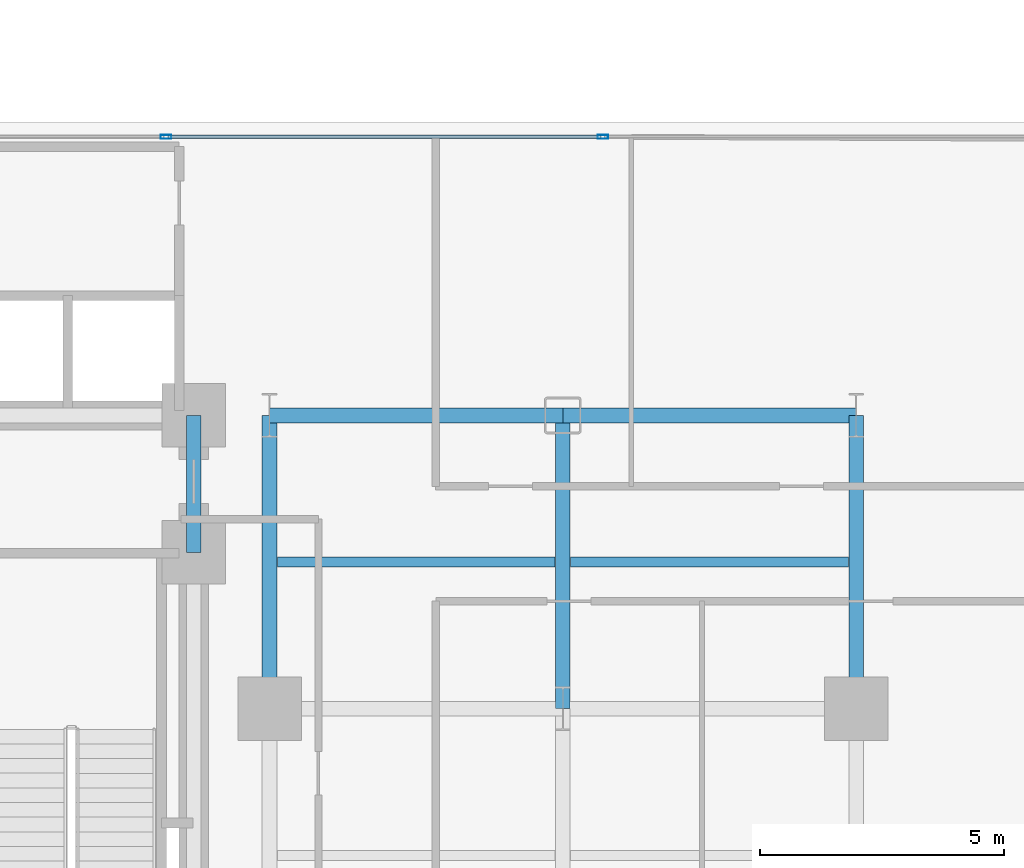
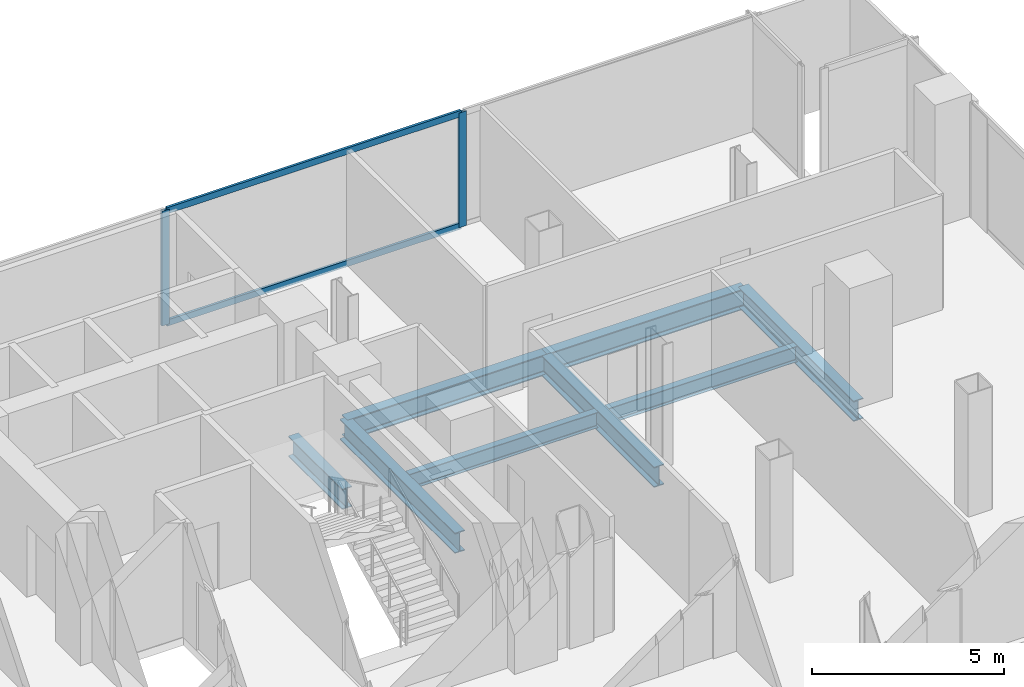
# One storey, part 11 of 27: 8 beams, 4 members, 1 element without a shape of its own.
"""IFC4 building model written with IfcOpenShell, lengths in metres."""

from ifc_helpers import new_model, si_unit, direction, frame, origin, origin_2d, place, context, subcontext, project, spatial, hollow_rectangle, i_section, extrude, material, layer, layer_set, material_profile, profile_set, type_object, element, aggregate, save


model = new_model("IFC4")

# Units and contexts
model_context = context("Model", 3, precision=1e-05, world=origin(), true_north=direction((0.0, 1.0)))
body_context = subcontext(model_context, "Body", "Model", "MODEL_VIEW")
ifc_project = project(units=[si_unit("LENGTHUNIT", "METRE"), si_unit("AREAUNIT", "SQUARE_METRE"), si_unit("VOLUMEUNIT", "CUBIC_METRE"), si_unit("PLANEANGLEUNIT", "RADIAN"), si_unit("MASSUNIT", "GRAM", prefix="KILO"), si_unit("THERMODYNAMICTEMPERATUREUNIT", "KELVIN"), si_unit("POWERUNIT", "WATT")], contexts=[model_context])

# Site, building, storey
site_placement = place(None, origin())
site = spatial("IfcSite", under=ifc_project, at=site_placement, CompositionType="ELEMENT")
building_placement = place(site_placement, origin())
building = spatial("IfcBuilding", under=site, at=building_placement, Name="Svarakhadi Broadcast Tower", CompositionType="ELEMENT")
storey_placement = place(building_placement, frame((0.0, 0.0, 40.199951171875)))
storey = spatial("IfcBuildingStorey", under=building, at=storey_placement, Name="L08", CompositionType="ELEMENT", Elevation=40.199951171875)

# Beams
ifc_material_1 = material(Name="Steel S355J2 (IS 2062 E350C)", Category="steel")
ifc_material_profile_1 = material_profile(ifc_material_1, i_section(OverallWidth=0.199951171875, OverallDepth=0.5, WebThickness=0.01025390625, FlangeThickness=0.01611328125, FilletRadius=0.02099609375, at=origin_2d()), Name="NPB 500x200x91")
ifc_profile_set_1 = profile_set([ifc_material_profile_1], Name="Steel S355J2 (IS 2062 E350C)")
beam_type_1 = type_object("IfcBeamType", Name="Beam_NPB500", PredefinedType="BEAM", material=ifc_profile_set_1)
for number, where, z_axis, x_axis, name in (
    (1, (35.31005859375, 15.0, -0.5), (1.0, 0.0, 0.0), (0.0, 1.0, 0.0), "L08 Secondary Composite Beam SB024"),
    (2, (41.31005859375, 15.0, -0.5), (1.0, 0.0, 0.0), (0.0, 1.0, 0.0), "L08 Secondary Composite Beam SB027"),
):
    element("IfcBeam", number, at=place(storey_placement, frame(where, z_axis=z_axis, x_axis=x_axis)), inside=storey, type_object=beam_type_1, Name=name, PredefinedType="BEAM", context=body_context, shape_type="SweptSolid", body=[
        extrude(i_section(OverallWidth=0.199951171875, OverallDepth=0.5, WebThickness=0.01025390625, FlangeThickness=0.01611328125, FilletRadius=0.02099609375, at=origin_2d()), origin(), (0.0, 0.0, 1.0), 5.679931640625),
    ])

# Curtain wall, members
ifc_material_2 = material(Name="Anodised Bronze Aluminium AA 6063-T6", Category="aluminium")
ifc_layer = layer(ifc_material_2, 0.219970703125)
ifc_layer_set = layer_set([ifc_layer], Name="Anodised Bronze Aluminium AA 6063-T6")
curtain_wall_type = type_object("IfcCurtainWallType", Name="CW_Sys_02", PredefinedType="NOTDEFINED", material=ifc_layer_set)
curtain_wall_placement = place(storey_placement, origin())
curtain_wall = element("IfcCurtainWall", 3, at=curtain_wall_placement, inside=storey, type_object=curtain_wall_type, Name="L08 Unitised Facade Curtain Wall 10", PredefinedType="NOTDEFINED")
ifc_material_profile_2 = material_profile(ifc_material_2, hollow_rectangle(XDim=0.0849609375, YDim=0.219970703125, WallThickness=0.006103515625, at=origin_2d()), Name="ALU MULLION 220x85x6")
ifc_profile_set_2 = profile_set([ifc_material_profile_2], Name="Anodised Bronze Aluminium AA 6063-T6")
member_type_1 = type_object("IfcMemberType", Name="CW_Sys_02_Mul", PredefinedType="MULLION", material=ifc_profile_set_2)
member_1_placement = place(storey_placement, frame((33.030029296875, 23.699951171875, 0.0), z_axis=(0.0, 0.0, 1.0), x_axis=(0.0, 1.0, 0.0)))
member_1 = element("IfcMember", 4, at=member_1_placement, type_object=member_type_1, Name="CW-02 mullion 2", PredefinedType="MULLION", context=body_context, shape_type="SweptSolid", body=[
    extrude(hollow_rectangle(XDim=0.0849609375, YDim=0.219970703125, WallThickness=0.006103515625, at=origin_2d()), origin(), (0.0, 0.0, 1.0), 3.650146484375),
])
member_2_placement = place(storey_placement, frame((41.969970703125, 23.699951171875, 0.0), z_axis=(0.0, 0.0, 1.0), x_axis=(0.0, 1.0, 0.0)))
member_2 = element("IfcMember", 5, at=member_2_placement, type_object=member_type_1, Name="CW-02 mullion 3", PredefinedType="MULLION", context=body_context, shape_type="SweptSolid", body=[
    extrude(hollow_rectangle(XDim=0.0849609375, YDim=0.219970703125, WallThickness=0.006103515625, at=origin_2d()), origin(), (0.0, 0.0, 1.0), 3.650146484375),
])
ifc_material_profile_3 = material_profile(ifc_material_2, hollow_rectangle(XDim=0.074951171875, YDim=0.199951171875, WallThickness=0.0048828125, at=origin_2d()), Name="ALU TRANSOM 200x75x5")
ifc_profile_set_3 = profile_set([ifc_material_profile_3], Name="Anodised Bronze Aluminium AA 6063-T6")
member_type_2 = type_object("IfcMemberType", Name="CW_Sys_02_Trn", PredefinedType="USERDEFINED", material=ifc_profile_set_3)
member_3_placement = place(storey_placement, frame((33.072509765625, 23.699951171875, 0.03759765625), z_axis=(1.0, 0.0, 0.0), x_axis=(0.0, 1.0, 0.0)))
member_3 = element("IfcMember", 6, at=member_3_placement, type_object=member_type_2, Name="CW-02 transom 2.1", ObjectType="TRANSOM", PredefinedType="USERDEFINED", context=body_context, shape_type="SweptSolid", body=[
    extrude(hollow_rectangle(XDim=0.074951171875, YDim=0.199951171875, WallThickness=0.0048828125, at=origin_2d()), origin(), (0.0, 0.0, 1.0), 8.85498046875),
])
member_4_placement = place(storey_placement, frame((33.072509765625, 23.699951171875, 3.612548828125), z_axis=(1.0, 0.0, 0.0), x_axis=(0.0, 1.0, 0.0)))
member_4 = element("IfcMember", 7, at=member_4_placement, type_object=member_type_2, Name="CW-02 transom 2.2", ObjectType="TRANSOM", PredefinedType="USERDEFINED", context=body_context, shape_type="SweptSolid", body=[
    extrude(hollow_rectangle(XDim=0.074951171875, YDim=0.199951171875, WallThickness=0.0048828125, at=origin_2d()), origin(), (0.0, 0.0, 1.0), 8.85498046875),
])
aggregate(curtain_wall, [member_1, member_2, member_3, member_4])

# Beams
ifc_material_profile_4 = material_profile(ifc_material_1, i_section(OverallWidth=0.300048828125, OverallDepth=0.64990234375, WebThickness=0.01611328125, FlangeThickness=0.031005859375, FilletRadius=0.027099609375, at=origin_2d()), Name="WPB 650x300x225")
ifc_profile_set_4 = profile_set([ifc_material_profile_4], Name="Steel S355J2 (IS 2062 E350C)")
beam_type_2 = type_object("IfcBeamType", Name="Girder_WPB650", PredefinedType="USERDEFINED", material=ifc_profile_set_4)
for number, where, z_axis, x_axis, name in (
    (8, (35.14990234375, 18.0, -0.574951171875), (1.0, 0.0, 0.0), (0.0, 1.0, 0.0), "L08 Primary E-W Girder G030"),
    (9, (41.14990234375, 18.0, -0.574951171875), (1.0, 0.0, 0.0), (0.0, 1.0, 0.0), "L08 Primary E-W Girder G031"),
):
    element("IfcBeam", number, at=place(storey_placement, frame(where, z_axis=z_axis, x_axis=x_axis)), inside=storey, type_object=beam_type_2, Name=name, ObjectType="GIRDER", PredefinedType="USERDEFINED", context=body_context, shape_type="SweptSolid", body=[
        extrude(i_section(OverallWidth=0.300048828125, OverallDepth=0.64990234375, WebThickness=0.01611328125, FlangeThickness=0.031005859375, FilletRadius=0.027099609375, at=origin_2d()), origin(), (0.0, 0.0, 1.0), 6.0),
    ])
beam_placement = place(storey_placement, frame((33.60009765625, 15.199951171875, -0.574951171875), z_axis=(0.0, 1.0, 0.0), x_axis=(-1.0, 0.0, 0.0)))
element("IfcBeam", 10, at=beam_placement, inside=storey, type_object=beam_type_2, Name="L08 Primary N-S Girder G075", ObjectType="GIRDER", PredefinedType="USERDEFINED", context=body_context, shape_type="SweptSolid", body=[
    extrude(i_section(OverallWidth=0.300048828125, OverallDepth=0.64990234375, WebThickness=0.01611328125, FlangeThickness=0.031005859375, FilletRadius=0.027099609375, at=origin_2d()), origin(), (0.0, 0.0, 1.0), 2.800048828125),
])
for number, where, z_axis, x_axis, name in (
    (11, (35.14990234375, 12.0, -0.574951171875), (0.0, 1.0, 0.0), (-1.0, 0.0, 0.0), "L08 Primary N-S Girder G078"),
    (12, (41.14990234375, 12.0, -0.574951171875), (0.0, 1.0, 0.0), (-1.0, 0.0, 0.0), "L08 Primary N-S Girder G081"),
    (13, (47.14990234375, 12.0, -0.574951171875), (0.0, 1.0, 0.0), (-1.0, 0.0, 0.0), "L08 Primary N-S Girder G084"),
):
    element("IfcBeam", number, at=place(storey_placement, frame(where, z_axis=z_axis, x_axis=x_axis)), inside=storey, type_object=beam_type_2, Name=name, ObjectType="GIRDER", PredefinedType="USERDEFINED", context=body_context, shape_type="SweptSolid", body=[
        extrude(i_section(OverallWidth=0.300048828125, OverallDepth=0.64990234375, WebThickness=0.01611328125, FlangeThickness=0.031005859375, FilletRadius=0.027099609375, at=origin_2d()), origin(), (0.0, 0.0, 1.0), 6.0),
    ])

save(model, "model.ifc")
